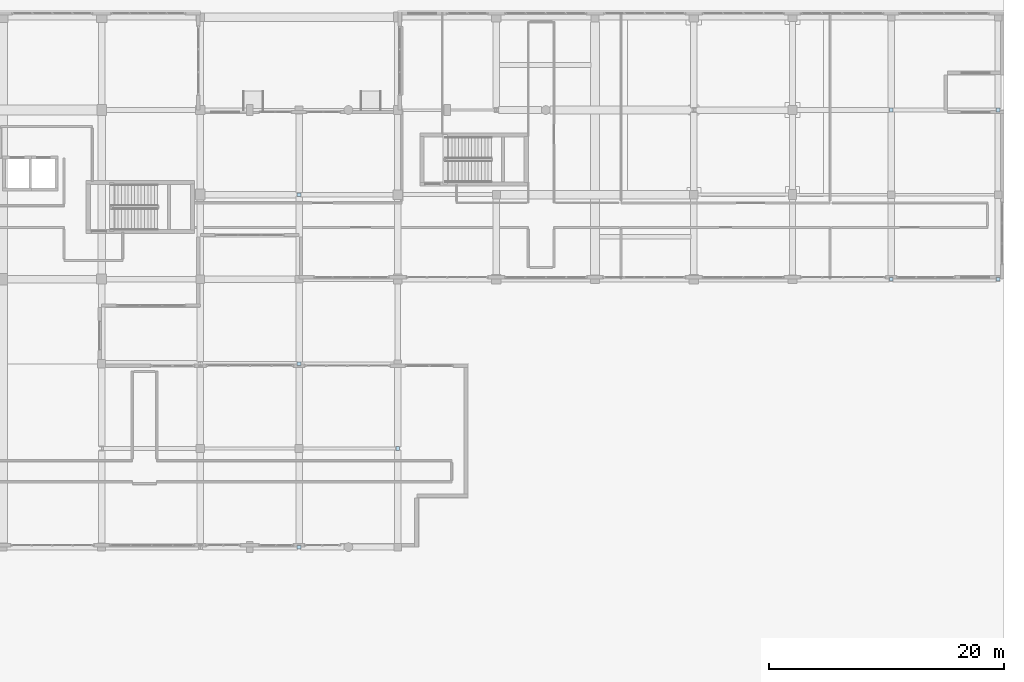
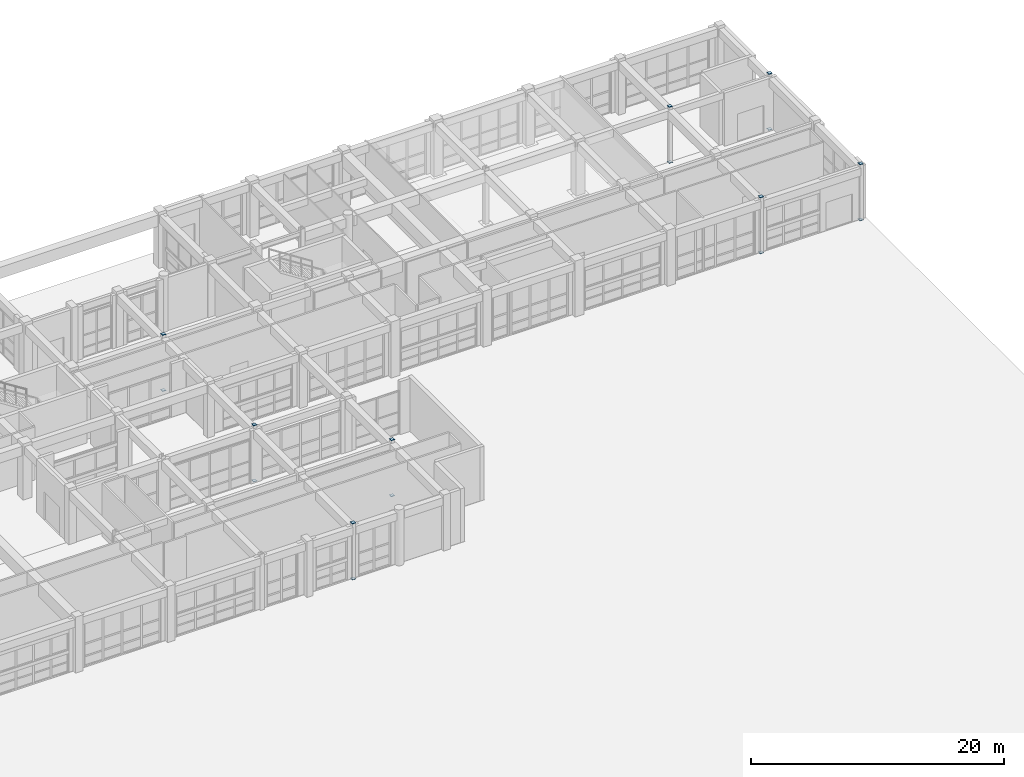
# One storey, part 126 of 148: 16 plates.
"""IFC4 building model written with IfcOpenShell, lengths in metres."""

from ifc_helpers import new_model, si_unit, direction, frame, origin, origin_2d, place, context, subcontext, project, spatial, rectangle, extrude, material, layer, layer_set, type_object, element, save


model = new_model("IFC4")

# Units and contexts
model_context = context("Model", 3, precision=1e-05, world=origin(), true_north=direction((0.0, 1.0)))
body_context = subcontext(model_context, "Body", "Model", "MODEL_VIEW")
ifc_project = project(units=[si_unit("LENGTHUNIT", "METRE"), si_unit("AREAUNIT", "SQUARE_METRE"), si_unit("VOLUMEUNIT", "CUBIC_METRE"), si_unit("PLANEANGLEUNIT", "RADIAN"), si_unit("MASSUNIT", "GRAM", prefix="KILO")], contexts=[model_context])

# Site, building, storey
site_placement = place(None, origin())
site = spatial("IfcSite", under=ifc_project, at=site_placement, CompositionType="ELEMENT")
building_placement = place(site_placement, origin())
building = spatial("IfcBuilding", under=site, at=building_placement, Name="Quendrovan Civic Courthouse", CompositionType="ELEMENT")
storey_placement = place(building_placement, origin())
storey = spatial("IfcBuildingStorey", under=building, at=storey_placement, Name="L01", CompositionType="ELEMENT", Elevation=0.0)

# Plates
ifc_material = material(Name="Steel ASTM A572 Grade 50", Category="steel")
ifc_layer = layer(ifc_material, 0.011962890625, Name="Steel ASTM A572 Grade 50")
ifc_layer_set = layer_set([ifc_layer], Name="Steel ASTM A572 Grade 50")
plate_type = type_object("IfcPlateType", Name="PLT-CAP-12", PredefinedType="SHEET", material=ifc_layer_set)
for number, where, z_axis, x_axis, name in (
    (1, (100.800048828125, 64.800048828125, 5.39990234375), (0.0, 0.0, 1.0), (1.0, 0.0, 0.0), "L01 Hollow Column End Cap Plate COL-L01-13-J-TOP"),
    (2, (100.800048828125, 64.800048828125, -0.01220703125), (0.0, 0.0, 1.0), (1.0, 0.0, 0.0), "L01 Hollow Column End Cap Plate COL-L01-13-J-BOT"),
    (3, (100.800048828125, 80.39990234375, 5.39990234375), (0.0, 0.0, 1.0), (1.0, 0.0, 0.0), "L01 Hollow Column End Cap Plate COL-L01-13-L-TOP"),
    (4, (100.800048828125, 80.39990234375, -0.01220703125), (0.0, 0.0, 1.0), (1.0, 0.0, 0.0), "L01 Hollow Column End Cap Plate COL-L01-13-L-BOT"),
    (5, (100.800048828125, 94.800048828125, 5.39990234375), (0.0, 0.0, 1.0), (1.0, 0.0, 0.0), "L01 Hollow Column End Cap Plate COL-L01-13-N-TOP"),
    (6, (100.800048828125, 94.800048828125, -0.01220703125), (0.0, 0.0, 1.0), (1.0, 0.0, 0.0), "L01 Hollow Column End Cap Plate COL-L01-13-N-BOT"),
    (7, (109.199951171875, 73.199951171875, 5.39990234375), (0.0, 0.0, 1.0), (1.0, 0.0, 0.0), "L01 Hollow Column End Cap Plate COL-L01-14-K-TOP"),
    (8, (109.199951171875, 73.199951171875, -0.01220703125), (0.0, 0.0, 1.0), (1.0, 0.0, 0.0), "L01 Hollow Column End Cap Plate COL-L01-14-K-BOT"),
    (9, (151.199951171875, 87.60009765625, 5.39990234375), (0.0, 0.0, 1.0), (1.0, 0.0, 0.0), "L01 Hollow Column End Cap Plate COL-L01-19-M-TOP"),
    (10, (151.199951171875, 87.60009765625, -0.01220703125), (0.0, 0.0, 1.0), (1.0, 0.0, 0.0), "L01 Hollow Column End Cap Plate COL-L01-19-M-BOT"),
    (11, (151.199951171875, 102.0, 5.39990234375), (0.0, 0.0, 1.0), (1.0, 0.0, 0.0), "L01 Hollow Column End Cap Plate COL-L01-19-P-TOP"),
    (12, (151.199951171875, 102.0, -0.01220703125), (0.0, 0.0, 1.0), (1.0, 0.0, 0.0), "L01 Hollow Column End Cap Plate COL-L01-19-P-BOT"),
    (13, (160.300048828125, 87.60009765625, 5.39990234375), (0.0, 0.0, 1.0), (1.0, 0.0, 0.0), "L01 Hollow Column End Cap Plate COL-L01-20-M-TOP"),
    (14, (160.300048828125, 87.60009765625, -0.01220703125), (0.0, 0.0, 1.0), (1.0, 0.0, 0.0), "L01 Hollow Column End Cap Plate COL-L01-20-M-BOT"),
    (15, (160.300048828125, 102.0, 5.39990234375), (0.0, 0.0, 1.0), (1.0, 0.0, 0.0), "L01 Hollow Column End Cap Plate COL-L01-20-P-TOP"),
    (16, (160.300048828125, 102.0, -0.01220703125), (0.0, 0.0, 1.0), (1.0, 0.0, 0.0), "L01 Hollow Column End Cap Plate COL-L01-20-P-BOT"),
):
    element("IfcPlate", number, at=place(storey_placement, frame(where, z_axis=z_axis, x_axis=x_axis)), inside=storey, type_object=plate_type, Name=name, PredefinedType="SHEET", context=body_context, shape_type="SweptSolid", body=[
        extrude(rectangle(XDim=0.320068359375, YDim=0.320068359375, at=origin_2d()), origin(), (0.0, 0.0, 1.0), 0.011962890625),
    ])

save(model, "model.ifc")
